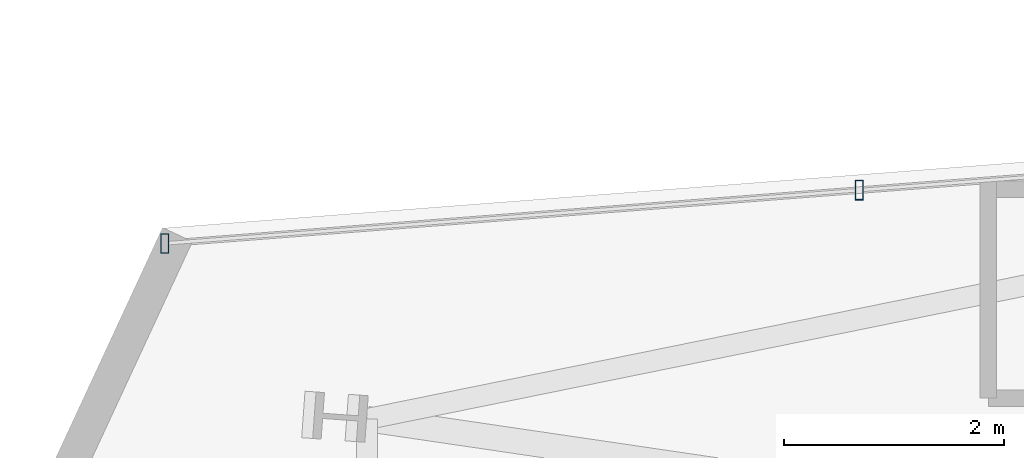
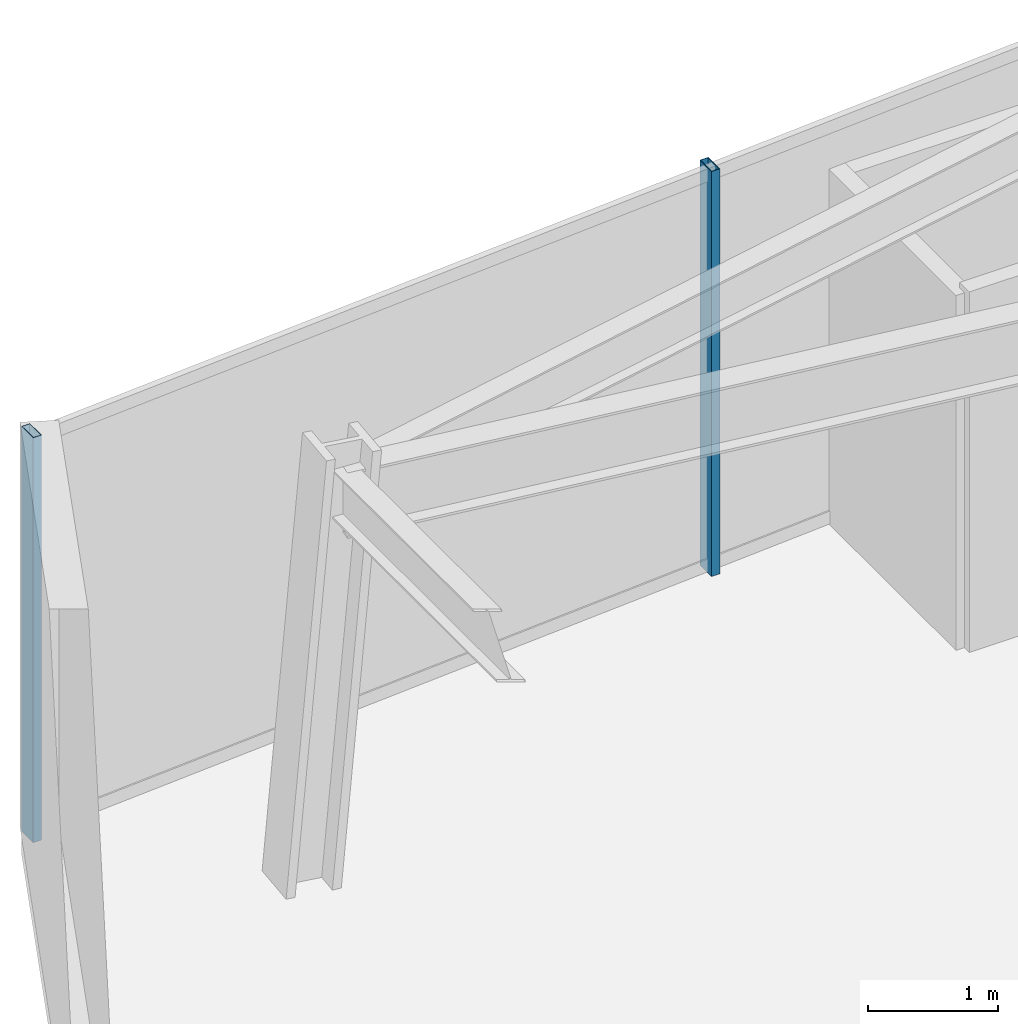
# One storey, part 8 of 28: 2 members, 1 element without a shape of its own.
"""IFC4 building model written with IfcOpenShell, lengths in metres."""

from ifc_helpers import new_model, si_unit, direction, frame, origin, origin_2d, place, context, subcontext, project, spatial, hollow_rectangle, extrude, material, layer, layer_set, material_profile, profile_set, type_object, element, aggregate, save


model = new_model("IFC4")

# Units and contexts
model_context = context("Model", 3, precision=1e-05, world=origin(), true_north=direction((0.0, 1.0)))
body_context = subcontext(model_context, "Body", "Model", "MODEL_VIEW")
ifc_project = project(units=[si_unit("LENGTHUNIT", "METRE"), si_unit("AREAUNIT", "SQUARE_METRE"), si_unit("VOLUMEUNIT", "CUBIC_METRE"), si_unit("PLANEANGLEUNIT", "RADIAN"), si_unit("MASSUNIT", "GRAM", prefix="KILO")], contexts=[model_context])

# Site, building, storey
site_placement = place(None, origin())
site = spatial("IfcSite", under=ifc_project, at=site_placement, CompositionType="ELEMENT")
building_placement = place(site_placement, origin())
building = spatial("IfcBuilding", under=site, at=building_placement, Name="Veymaron Broadcast Tower", CompositionType="ELEMENT")
storey_placement = place(building_placement, frame((0.0, 0.0, 45.89990234375)))
storey = spatial("IfcBuildingStorey", under=building, at=storey_placement, Name="L09", CompositionType="ELEMENT", Elevation=45.89990234375)

# Curtain wall, members
ifc_material_1 = material(Name="Anodised aluminium AA 6063-T6 and laminated low-E dark glass", Category="aluminium")
ifc_layer = layer(ifc_material_1, 0.179931640625)
ifc_layer_set = layer_set([ifc_layer], Name="Anodised aluminium AA 6063-T6 and laminated low-E dark glass")
curtain_wall_type = type_object("IfcCurtainWallType", Name="CW-SYS-02", PredefinedType="NOTDEFINED", material=ifc_layer_set)
curtain_wall_placement = place(storey_placement, origin())
curtain_wall = element("IfcCurtainWall", 1, at=curtain_wall_placement, inside=storey, type_object=curtain_wall_type, Name="L09 dark-glass curtain wall CW-L09-E11-1", PredefinedType="NOTDEFINED")
ifc_material_2 = material(Name="Anodised aluminium AA 6063-T6", Category="aluminium")
ifc_material_profile = material_profile(ifc_material_2, hollow_rectangle(XDim=0.074951171875, YDim=0.179931640625, WallThickness=0.0048828125, at=origin_2d()), Name="AL180X75X5")
ifc_profile_set = profile_set([ifc_material_profile], Name="Anodised aluminium AA 6063-T6")
member_type = type_object("IfcMemberType", Name="CW-MUL-02", PredefinedType="MULLION", material=ifc_profile_set)
member_1_placement = place(storey_placement, frame((12.82666015625, 29.441650390625, 0.0), z_axis=(0.0, 0.0, 1.0), x_axis=(1.0, 0.0, 0.0)))
member_1 = element("IfcMember", 2, at=member_1_placement, type_object=member_type, Name="CW-L09-E11-1 mullion 2", PredefinedType="MULLION", context=body_context, shape_type="SweptSolid", body=[
    extrude(hollow_rectangle(XDim=0.074951171875, YDim=0.179931640625, WallThickness=0.0048828125, at=origin_2d()), origin(), (0.0, 0.0, 1.0), 3.81005859375),
])
member_2_placement = place(storey_placement, frame((6.5107421875, 28.95654296875, 0.0), z_axis=(0.0, 0.0, 1.0), x_axis=(1.0, 0.0, 0.0)))
member_2 = element("IfcMember", 3, at=member_2_placement, type_object=member_type, Name="CW-L09-E11-1 mullion 3", PredefinedType="MULLION", context=body_context, shape_type="SweptSolid", body=[
    extrude(hollow_rectangle(XDim=0.074951171875, YDim=0.179931640625, WallThickness=0.0048828125, at=origin_2d()), origin(), (0.0, 0.0, 1.0), 3.81005859375),
])
aggregate(curtain_wall, [member_1, member_2])

save(model, "model.ifc")
